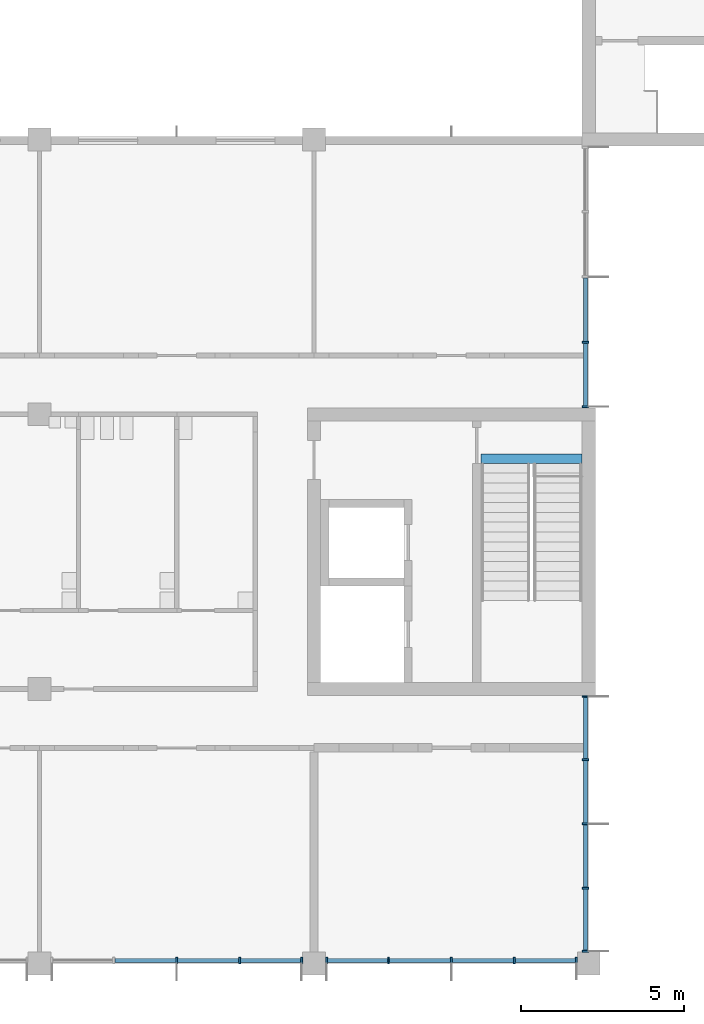
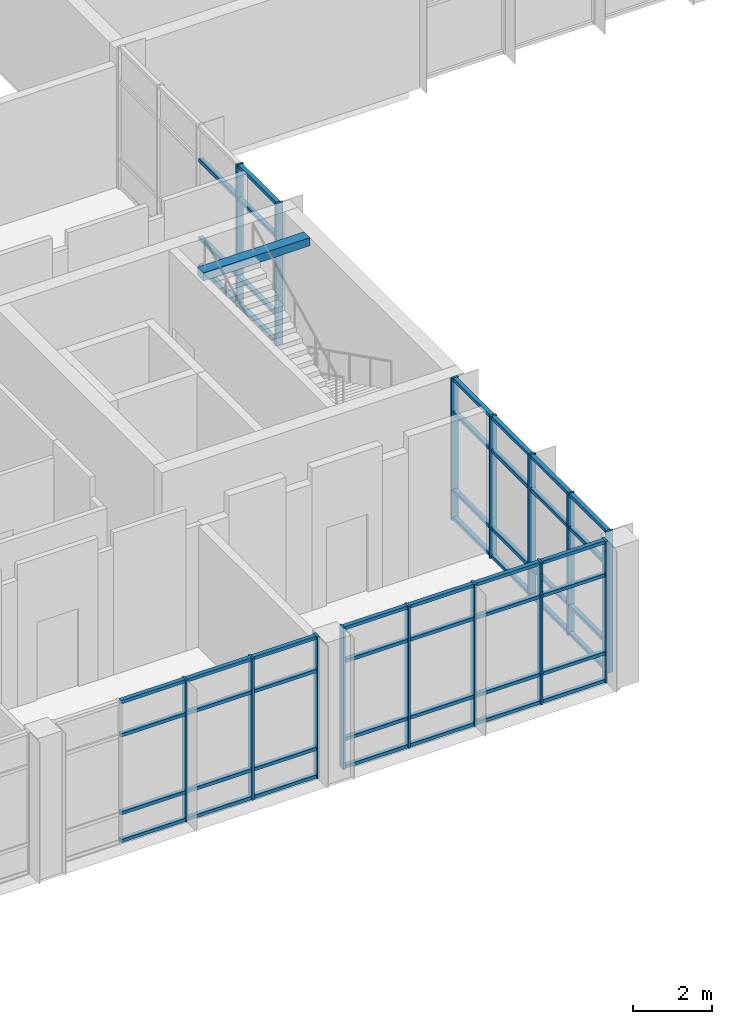
# One storey, part 8 of 70: 66 members, 1 beam, 4 elements without a shape of their own.
"""IFC4 building model written with IfcOpenShell, lengths in metres."""

from ifc_helpers import new_model, si_unit, direction, frame, origin, origin_2d, place, context, subcontext, project, spatial, rectangle, extrude, material, material_profile, profile_set, type_object, element, aggregate, save


model = new_model("IFC4")

# Units and contexts
model_context = context("Model", 3, precision=1e-05, world=origin(), true_north=direction((0.0, 1.0)))
body_context = subcontext(model_context, "Body", "Model", "MODEL_VIEW")
ifc_project = project(units=[si_unit("LENGTHUNIT", "METRE"), si_unit("AREAUNIT", "SQUARE_METRE"), si_unit("VOLUMEUNIT", "CUBIC_METRE"), si_unit("PLANEANGLEUNIT", "RADIAN"), si_unit("MASSUNIT", "GRAM", prefix="KILO")], contexts=[model_context])

# Site, building, storey
site_placement = place(None, origin())
site = spatial("IfcSite", under=ifc_project, at=site_placement, CompositionType="ELEMENT")
building_placement = place(site_placement, origin())
building = spatial("IfcBuilding", under=site, at=building_placement, Name="Hlaing Beacon Police Headquarters", CompositionType="ELEMENT")
storey_placement = place(building_placement, frame((0.0, 0.0, 5.39990234375)))
storey = spatial("IfcBuildingStorey", under=building, at=storey_placement, Name="L01", CompositionType="ELEMENT", Elevation=5.39990234375)

# Curtain wall, members
ifc_material_1 = material(Name="Aluminium frame with solar control glazing", Category="aluminium")
curtain_wall_type_1 = type_object("IfcCurtainWallType", Name="Unitised curtain wall 7.70 x 4.37", PredefinedType="NOTDEFINED", material=ifc_material_1)
curtain_wall_1_placement = place(storey_placement, origin())
curtain_wall_1 = element("IfcCurtainWall", 1, at=curtain_wall_1_placement, inside=storey, type_object=curtain_wall_type_1, Name="ENV-CW-L01-S015", PredefinedType="NOTDEFINED")
ifc_material_2 = material(Name="Aluminium", Category="aluminium")
ifc_material_profile_1 = material_profile(ifc_material_2, rectangle(XDim=0.199951171875, YDim=0.06005859375, at=origin_2d()), Name="Mullion 60x200")
ifc_profile_set_1 = profile_set([ifc_material_profile_1], Name="Aluminium")
member_type_1 = type_object("IfcMemberType", Name="Mullion 60x200", PredefinedType="MULLION", material=ifc_profile_set_1)
member_1_placement = place(storey_placement, frame((46.199951171875, 8.5, 0.0), z_axis=(0.0, 0.0, 1.0), x_axis=(0.0, 1.0, 0.0)))
member_1 = element("IfcMember", 2, at=member_1_placement, type_object=member_type_1, Name="CW-L01-S015 mullion 3", PredefinedType="MULLION", context=body_context, shape_type="SweptSolid", body=[
    extrude(rectangle(XDim=0.199951171875, YDim=0.06005859375, at=origin_2d()), origin(), (0.0, 0.0, 1.0), 4.3701171875),
])
member_2_placement = place(storey_placement, frame((48.125, 8.5, 0.0), z_axis=(0.0, 0.0, 1.0), x_axis=(0.0, 1.0, 0.0)))
member_2 = element("IfcMember", 3, at=member_2_placement, type_object=member_type_1, Name="CW-L01-S015 mullion 4", PredefinedType="MULLION", context=body_context, shape_type="SweptSolid", body=[
    extrude(rectangle(XDim=0.199951171875, YDim=0.06005859375, at=origin_2d()), origin(), (0.0, 0.0, 1.0), 4.3701171875),
])
member_3_placement = place(storey_placement, frame((50.02001953125, 8.5, 0.0), z_axis=(0.0, 0.0, 1.0), x_axis=(0.0, 1.0, 0.0)))
member_3 = element("IfcMember", 4, at=member_3_placement, type_object=member_type_1, Name="CW-L01-S015 mullion 5", PredefinedType="MULLION", context=body_context, shape_type="SweptSolid", body=[
    extrude(rectangle(XDim=0.199951171875, YDim=0.06005859375, at=origin_2d()), origin(), (0.0, 0.0, 1.0), 4.3701171875),
])

curtain_wall_2_placement = place(storey_placement, origin())
curtain_wall_2 = element("IfcCurtainWall", 5, at=curtain_wall_2_placement, inside=storey, type_object=curtain_wall_type_1, Name="ENV-CW-L01-S016", PredefinedType="NOTDEFINED")
member_4_placement = place(storey_placement, frame((50.780029296875, 8.5, 0.0), z_axis=(0.0, 0.0, 1.0), x_axis=(0.0, 1.0, 0.0)))
member_4 = element("IfcMember", 6, at=member_4_placement, type_object=member_type_1, Name="CW-L01-S016 mullion 1", PredefinedType="MULLION", context=body_context, shape_type="SweptSolid", body=[
    extrude(rectangle(XDim=0.199951171875, YDim=0.06005859375, at=origin_2d()), origin(), (0.0, 0.0, 1.0), 4.3701171875),
])
member_5_placement = place(storey_placement, frame((52.675048828125, 8.5, 0.0), z_axis=(0.0, 0.0, 1.0), x_axis=(0.0, 1.0, 0.0)))
member_5 = element("IfcMember", 7, at=member_5_placement, type_object=member_type_1, Name="CW-L01-S016 mullion 2", PredefinedType="MULLION", context=body_context, shape_type="SweptSolid", body=[
    extrude(rectangle(XDim=0.199951171875, YDim=0.06005859375, at=origin_2d()), origin(), (0.0, 0.0, 1.0), 4.3701171875),
])
member_6_placement = place(storey_placement, frame((54.60009765625, 8.5, 0.0), z_axis=(0.0, 0.0, 1.0), x_axis=(0.0, 1.0, 0.0)))
member_6 = element("IfcMember", 8, at=member_6_placement, type_object=member_type_1, Name="CW-L01-S016 mullion 3", PredefinedType="MULLION", context=body_context, shape_type="SweptSolid", body=[
    extrude(rectangle(XDim=0.199951171875, YDim=0.06005859375, at=origin_2d()), origin(), (0.0, 0.0, 1.0), 4.3701171875),
])
member_7_placement = place(storey_placement, frame((56.52490234375, 8.5, 0.0), z_axis=(0.0, 0.0, 1.0), x_axis=(0.0, 1.0, 0.0)))
member_7 = element("IfcMember", 9, at=member_7_placement, type_object=member_type_1, Name="CW-L01-S016 mullion 4", PredefinedType="MULLION", context=body_context, shape_type="SweptSolid", body=[
    extrude(rectangle(XDim=0.199951171875, YDim=0.06005859375, at=origin_2d()), origin(), (0.0, 0.0, 1.0), 4.3701171875),
])
member_8_placement = place(storey_placement, frame((58.419921875, 8.5, 0.0), z_axis=(0.0, 0.0, 1.0), x_axis=(0.0, 1.0, 0.0)))
member_8 = element("IfcMember", 10, at=member_8_placement, type_object=member_type_1, Name="CW-L01-S016 mullion 5", PredefinedType="MULLION", context=body_context, shape_type="SweptSolid", body=[
    extrude(rectangle(XDim=0.199951171875, YDim=0.06005859375, at=origin_2d()), origin(), (0.0, 0.0, 1.0), 4.3701171875),
])

ifc_material_3 = material(Name="Aluminium frame with solar control glazing", Category="aluminium")
curtain_wall_type_2 = type_object("IfcCurtainWallType", Name="Unitised curtain wall 7.85 x 4.37", PredefinedType="NOTDEFINED", material=ifc_material_3)
curtain_wall_3_placement = place(storey_placement, origin())
curtain_wall_3 = element("IfcCurtainWall", 11, at=curtain_wall_3_placement, inside=storey, type_object=curtain_wall_type_2, Name="ENV-CW-L01-E017", PredefinedType="NOTDEFINED")
member_9_placement = place(storey_placement, frame((58.699951171875, 8.780029296875, 0.0), z_axis=(0.0, 0.0, 1.0), x_axis=(-1.0, 0.0, 0.0)))
member_9 = element("IfcMember", 12, at=member_9_placement, type_object=member_type_1, Name="CW-L01-E017 mullion 1", PredefinedType="MULLION", context=body_context, shape_type="SweptSolid", body=[
    extrude(rectangle(XDim=0.199951171875, YDim=0.06005859375, at=origin_2d()), origin(), (0.0, 0.0, 1.0), 4.3701171875),
])
member_10_placement = place(storey_placement, frame((58.699951171875, 10.71240234375, 0.0), z_axis=(0.0, 0.0, 1.0), x_axis=(-1.0, 0.0, 0.0)))
member_10 = element("IfcMember", 13, at=member_10_placement, type_object=member_type_1, Name="CW-L01-E017 mullion 2", PredefinedType="MULLION", context=body_context, shape_type="SweptSolid", body=[
    extrude(rectangle(XDim=0.199951171875, YDim=0.06005859375, at=origin_2d()), origin(), (0.0, 0.0, 1.0), 4.3701171875),
])
member_11_placement = place(storey_placement, frame((58.699951171875, 12.675048828125, 0.0), z_axis=(0.0, 0.0, 1.0), x_axis=(-1.0, 0.0, 0.0)))
member_11 = element("IfcMember", 14, at=member_11_placement, type_object=member_type_1, Name="CW-L01-E017 mullion 3", PredefinedType="MULLION", context=body_context, shape_type="SweptSolid", body=[
    extrude(rectangle(XDim=0.199951171875, YDim=0.06005859375, at=origin_2d()), origin(), (0.0, 0.0, 1.0), 4.3701171875),
])
member_12_placement = place(storey_placement, frame((58.699951171875, 14.637451171875, 0.0), z_axis=(0.0, 0.0, 1.0), x_axis=(-1.0, 0.0, 0.0)))
member_12 = element("IfcMember", 15, at=member_12_placement, type_object=member_type_1, Name="CW-L01-E017 mullion 4", PredefinedType="MULLION", context=body_context, shape_type="SweptSolid", body=[
    extrude(rectangle(XDim=0.199951171875, YDim=0.06005859375, at=origin_2d()), origin(), (0.0, 0.0, 1.0), 4.3701171875),
])
member_13_placement = place(storey_placement, frame((58.699951171875, 16.570068359375, 0.0), z_axis=(0.0, 0.0, 1.0), x_axis=(-1.0, 0.0, 0.0)))
member_13 = element("IfcMember", 16, at=member_13_placement, type_object=member_type_1, Name="CW-L01-E017 mullion 5", PredefinedType="MULLION", context=body_context, shape_type="SweptSolid", body=[
    extrude(rectangle(XDim=0.199951171875, YDim=0.06005859375, at=origin_2d()), origin(), (0.0, 0.0, 1.0), 4.3701171875),
])

ifc_material_4 = material(Name="Aluminium frame with solar control glazing", Category="aluminium")
curtain_wall_type_3 = type_object("IfcCurtainWallType", Name="Unitised curtain wall 8.00 x 4.37", PredefinedType="NOTDEFINED", material=ifc_material_4)
curtain_wall_4_placement = place(storey_placement, origin())
curtain_wall_4 = element("IfcCurtainWall", 17, at=curtain_wall_4_placement, inside=storey, type_object=curtain_wall_type_3, Name="ENV-CW-L01-E018", PredefinedType="NOTDEFINED")
member_14_placement = place(storey_placement, frame((58.699951171875, 25.429931640625, 0.0), z_axis=(0.0, 0.0, 1.0), x_axis=(-1.0, 0.0, 0.0)))
member_14 = element("IfcMember", 18, at=member_14_placement, type_object=member_type_1, Name="CW-L01-E018 mullion 1", PredefinedType="MULLION", context=body_context, shape_type="SweptSolid", body=[
    extrude(rectangle(XDim=0.199951171875, YDim=0.06005859375, at=origin_2d()), origin(), (0.0, 0.0, 1.0), 4.3701171875),
])
member_15_placement = place(storey_placement, frame((58.699951171875, 27.39990234375, 0.0), z_axis=(0.0, 0.0, 1.0), x_axis=(-1.0, 0.0, 0.0)))
member_15 = element("IfcMember", 19, at=member_15_placement, type_object=member_type_1, Name="CW-L01-E018 mullion 2", PredefinedType="MULLION", context=body_context, shape_type="SweptSolid", body=[
    extrude(rectangle(XDim=0.199951171875, YDim=0.06005859375, at=origin_2d()), origin(), (0.0, 0.0, 1.0), 4.3701171875),
])

# Beam
ifc_material_5 = material(Name="Concrete C40/50", Category="concrete")
ifc_material_profile_2 = material_profile(ifc_material_5, rectangle(XDim=0.300048828125, YDim=0.25, at=origin_2d()), Name="Stair arrival beam 300x250")
ifc_profile_set_2 = profile_set([ifc_material_profile_2], Name="Concrete C40/50")
beam_type = type_object("IfcBeamType", Name="Stair arrival beam 300x250", PredefinedType="BEAM", material=ifc_profile_set_2)
beam_placement = place(storey_placement, frame((58.60009765625, 23.840087890625, 4.2451171875), z_axis=(-1.0, 0.0, 0.0), x_axis=(0.0, -1.0, 0.0)))
element("IfcBeam", 20, at=beam_placement, inside=storey, type_object=beam_type, Name="Stair arrival beam ST-K", PredefinedType="BEAM", context=body_context, shape_type="SweptSolid", body=[
    extrude(rectangle(XDim=0.300048828125, YDim=0.25, at=origin_2d()), origin(), (0.0, 0.0, 1.0), 3.10009765625),
])

# Member
ifc_material_6 = material(Name="Aluminium", Category="aluminium")
ifc_material_profile_3 = material_profile(ifc_material_6, rectangle(XDim=0.1201171875, YDim=0.10009765625, at=origin_2d()), Name="Transom 120x100")
ifc_profile_set_3 = profile_set([ifc_material_profile_3], Name="Aluminium")
member_type_2 = type_object("IfcMemberType", Name="Transom 120x100", PredefinedType="USERDEFINED", material=ifc_profile_set_3)
member_16_placement = place(storey_placement, frame((44.304931640625, 8.5, 0.050048828125), z_axis=(1.0, 0.0, 0.0), x_axis=(0.0, 1.0, 0.0)))
member_16 = element("IfcMember", 21, at=member_16_placement, type_object=member_type_2, Name="CW-L01-S015 transom 2.1", ObjectType="TRANSOM", PredefinedType="USERDEFINED", context=body_context, shape_type="SweptSolid", body=[
    extrude(rectangle(XDim=0.1201171875, YDim=0.10009765625, at=origin_2d()), origin(), (0.0, 0.0, 1.0), 1.864990234375),
])

member_17_placement = place(storey_placement, frame((44.304931640625, 8.5, 0.900146484375), z_axis=(1.0, 0.0, 0.0), x_axis=(0.0, 1.0, 0.0)))
member_17 = element("IfcMember", 22, at=member_17_placement, type_object=member_type_2, Name="CW-L01-S015 transom 2.2", ObjectType="TRANSOM", PredefinedType="USERDEFINED", context=body_context, shape_type="SweptSolid", body=[
    extrude(rectangle(XDim=0.1201171875, YDim=0.10009765625, at=origin_2d()), origin(), (0.0, 0.0, 1.0), 1.864990234375),
])

member_18_placement = place(storey_placement, frame((44.304931640625, 8.5, 3.300048828125), z_axis=(1.0, 0.0, 0.0), x_axis=(0.0, 1.0, 0.0)))
member_18 = element("IfcMember", 23, at=member_18_placement, type_object=member_type_2, Name="CW-L01-S015 transom 2.3", ObjectType="TRANSOM", PredefinedType="USERDEFINED", context=body_context, shape_type="SweptSolid", body=[
    extrude(rectangle(XDim=0.1201171875, YDim=0.10009765625, at=origin_2d()), origin(), (0.0, 0.0, 1.0), 1.864990234375),
])

member_19_placement = place(storey_placement, frame((44.304931640625, 8.5, 4.320068359375), z_axis=(1.0, 0.0, 0.0), x_axis=(0.0, 1.0, 0.0)))
member_19 = element("IfcMember", 24, at=member_19_placement, type_object=member_type_2, Name="CW-L01-S015 transom 2.4", ObjectType="TRANSOM", PredefinedType="USERDEFINED", context=body_context, shape_type="SweptSolid", body=[
    extrude(rectangle(XDim=0.1201171875, YDim=0.10009765625, at=origin_2d()), origin(), (0.0, 0.0, 1.0), 1.864990234375),
])

member_20_placement = place(storey_placement, frame((46.22998046875, 8.5, 0.050048828125), z_axis=(1.0, 0.0, 0.0), x_axis=(0.0, 1.0, 0.0)))
member_20 = element("IfcMember", 25, at=member_20_placement, type_object=member_type_2, Name="CW-L01-S015 transom 3.1", ObjectType="TRANSOM", PredefinedType="USERDEFINED", context=body_context, shape_type="SweptSolid", body=[
    extrude(rectangle(XDim=0.1201171875, YDim=0.10009765625, at=origin_2d()), origin(), (0.0, 0.0, 1.0), 1.864990234375),
])

member_21_placement = place(storey_placement, frame((46.22998046875, 8.5, 0.900146484375), z_axis=(1.0, 0.0, 0.0), x_axis=(0.0, 1.0, 0.0)))
member_21 = element("IfcMember", 26, at=member_21_placement, type_object=member_type_2, Name="CW-L01-S015 transom 3.2", ObjectType="TRANSOM", PredefinedType="USERDEFINED", context=body_context, shape_type="SweptSolid", body=[
    extrude(rectangle(XDim=0.1201171875, YDim=0.10009765625, at=origin_2d()), origin(), (0.0, 0.0, 1.0), 1.864990234375),
])

member_22_placement = place(storey_placement, frame((46.22998046875, 8.5, 3.300048828125), z_axis=(1.0, 0.0, 0.0), x_axis=(0.0, 1.0, 0.0)))
member_22 = element("IfcMember", 27, at=member_22_placement, type_object=member_type_2, Name="CW-L01-S015 transom 3.3", ObjectType="TRANSOM", PredefinedType="USERDEFINED", context=body_context, shape_type="SweptSolid", body=[
    extrude(rectangle(XDim=0.1201171875, YDim=0.10009765625, at=origin_2d()), origin(), (0.0, 0.0, 1.0), 1.864990234375),
])

member_23_placement = place(storey_placement, frame((46.22998046875, 8.5, 4.320068359375), z_axis=(1.0, 0.0, 0.0), x_axis=(0.0, 1.0, 0.0)))
member_23 = element("IfcMember", 28, at=member_23_placement, type_object=member_type_2, Name="CW-L01-S015 transom 3.4", ObjectType="TRANSOM", PredefinedType="USERDEFINED", context=body_context, shape_type="SweptSolid", body=[
    extrude(rectangle(XDim=0.1201171875, YDim=0.10009765625, at=origin_2d()), origin(), (0.0, 0.0, 1.0), 1.864990234375),
])

member_24_placement = place(storey_placement, frame((48.155029296875, 8.5, 0.050048828125), z_axis=(1.0, 0.0, 0.0), x_axis=(0.0, 1.0, 0.0)))
member_24 = element("IfcMember", 29, at=member_24_placement, type_object=member_type_2, Name="CW-L01-S015 transom 4.1", ObjectType="TRANSOM", PredefinedType="USERDEFINED", context=body_context, shape_type="SweptSolid", body=[
    extrude(rectangle(XDim=0.1201171875, YDim=0.10009765625, at=origin_2d()), origin(), (0.0, 0.0, 1.0), 1.8349609375),
])

member_25_placement = place(storey_placement, frame((48.155029296875, 8.5, 0.900146484375), z_axis=(1.0, 0.0, 0.0), x_axis=(0.0, 1.0, 0.0)))
member_25 = element("IfcMember", 30, at=member_25_placement, type_object=member_type_2, Name="CW-L01-S015 transom 4.2", ObjectType="TRANSOM", PredefinedType="USERDEFINED", context=body_context, shape_type="SweptSolid", body=[
    extrude(rectangle(XDim=0.1201171875, YDim=0.10009765625, at=origin_2d()), origin(), (0.0, 0.0, 1.0), 1.8349609375),
])

member_26_placement = place(storey_placement, frame((48.155029296875, 8.5, 3.300048828125), z_axis=(1.0, 0.0, 0.0), x_axis=(0.0, 1.0, 0.0)))
member_26 = element("IfcMember", 31, at=member_26_placement, type_object=member_type_2, Name="CW-L01-S015 transom 4.3", ObjectType="TRANSOM", PredefinedType="USERDEFINED", context=body_context, shape_type="SweptSolid", body=[
    extrude(rectangle(XDim=0.1201171875, YDim=0.10009765625, at=origin_2d()), origin(), (0.0, 0.0, 1.0), 1.8349609375),
])

member_27_placement = place(storey_placement, frame((48.155029296875, 8.5, 4.320068359375), z_axis=(1.0, 0.0, 0.0), x_axis=(0.0, 1.0, 0.0)))
member_27 = element("IfcMember", 32, at=member_27_placement, type_object=member_type_2, Name="CW-L01-S015 transom 4.4", ObjectType="TRANSOM", PredefinedType="USERDEFINED", context=body_context, shape_type="SweptSolid", body=[
    extrude(rectangle(XDim=0.1201171875, YDim=0.10009765625, at=origin_2d()), origin(), (0.0, 0.0, 1.0), 1.8349609375),
])

aggregate(curtain_wall_1, [member_1, member_2, member_3, member_16, member_17, member_18, member_19, member_20, member_21, member_22, member_23, member_24, member_25, member_26, member_27])

member_28_placement = place(storey_placement, frame((50.81005859375, 8.5, 0.050048828125), z_axis=(1.0, 0.0, 0.0), x_axis=(0.0, 1.0, 0.0)))
member_28 = element("IfcMember", 33, at=member_28_placement, type_object=member_type_2, Name="CW-L01-S016 transom 1.1", ObjectType="TRANSOM", PredefinedType="USERDEFINED", context=body_context, shape_type="SweptSolid", body=[
    extrude(rectangle(XDim=0.1201171875, YDim=0.10009765625, at=origin_2d()), origin(), (0.0, 0.0, 1.0), 1.8349609375),
])

member_29_placement = place(storey_placement, frame((50.81005859375, 8.5, 0.900146484375), z_axis=(1.0, 0.0, 0.0), x_axis=(0.0, 1.0, 0.0)))
member_29 = element("IfcMember", 34, at=member_29_placement, type_object=member_type_2, Name="CW-L01-S016 transom 1.2", ObjectType="TRANSOM", PredefinedType="USERDEFINED", context=body_context, shape_type="SweptSolid", body=[
    extrude(rectangle(XDim=0.1201171875, YDim=0.10009765625, at=origin_2d()), origin(), (0.0, 0.0, 1.0), 1.8349609375),
])

member_30_placement = place(storey_placement, frame((50.81005859375, 8.5, 3.300048828125), z_axis=(1.0, 0.0, 0.0), x_axis=(0.0, 1.0, 0.0)))
member_30 = element("IfcMember", 35, at=member_30_placement, type_object=member_type_2, Name="CW-L01-S016 transom 1.3", ObjectType="TRANSOM", PredefinedType="USERDEFINED", context=body_context, shape_type="SweptSolid", body=[
    extrude(rectangle(XDim=0.1201171875, YDim=0.10009765625, at=origin_2d()), origin(), (0.0, 0.0, 1.0), 1.8349609375),
])

member_31_placement = place(storey_placement, frame((50.81005859375, 8.5, 4.320068359375), z_axis=(1.0, 0.0, 0.0), x_axis=(0.0, 1.0, 0.0)))
member_31 = element("IfcMember", 36, at=member_31_placement, type_object=member_type_2, Name="CW-L01-S016 transom 1.4", ObjectType="TRANSOM", PredefinedType="USERDEFINED", context=body_context, shape_type="SweptSolid", body=[
    extrude(rectangle(XDim=0.1201171875, YDim=0.10009765625, at=origin_2d()), origin(), (0.0, 0.0, 1.0), 1.8349609375),
])

member_32_placement = place(storey_placement, frame((52.705078125, 8.5, 0.050048828125), z_axis=(1.0, 0.0, 0.0), x_axis=(0.0, 1.0, 0.0)))
member_32 = element("IfcMember", 37, at=member_32_placement, type_object=member_type_2, Name="CW-L01-S016 transom 2.1", ObjectType="TRANSOM", PredefinedType="USERDEFINED", context=body_context, shape_type="SweptSolid", body=[
    extrude(rectangle(XDim=0.1201171875, YDim=0.10009765625, at=origin_2d()), origin(), (0.0, 0.0, 1.0), 1.864990234375),
])

member_33_placement = place(storey_placement, frame((52.705078125, 8.5, 0.900146484375), z_axis=(1.0, 0.0, 0.0), x_axis=(0.0, 1.0, 0.0)))
member_33 = element("IfcMember", 38, at=member_33_placement, type_object=member_type_2, Name="CW-L01-S016 transom 2.2", ObjectType="TRANSOM", PredefinedType="USERDEFINED", context=body_context, shape_type="SweptSolid", body=[
    extrude(rectangle(XDim=0.1201171875, YDim=0.10009765625, at=origin_2d()), origin(), (0.0, 0.0, 1.0), 1.864990234375),
])

member_34_placement = place(storey_placement, frame((52.705078125, 8.5, 3.300048828125), z_axis=(1.0, 0.0, 0.0), x_axis=(0.0, 1.0, 0.0)))
member_34 = element("IfcMember", 39, at=member_34_placement, type_object=member_type_2, Name="CW-L01-S016 transom 2.3", ObjectType="TRANSOM", PredefinedType="USERDEFINED", context=body_context, shape_type="SweptSolid", body=[
    extrude(rectangle(XDim=0.1201171875, YDim=0.10009765625, at=origin_2d()), origin(), (0.0, 0.0, 1.0), 1.864990234375),
])

member_35_placement = place(storey_placement, frame((52.705078125, 8.5, 4.320068359375), z_axis=(1.0, 0.0, 0.0), x_axis=(0.0, 1.0, 0.0)))
member_35 = element("IfcMember", 40, at=member_35_placement, type_object=member_type_2, Name="CW-L01-S016 transom 2.4", ObjectType="TRANSOM", PredefinedType="USERDEFINED", context=body_context, shape_type="SweptSolid", body=[
    extrude(rectangle(XDim=0.1201171875, YDim=0.10009765625, at=origin_2d()), origin(), (0.0, 0.0, 1.0), 1.864990234375),
])

member_36_placement = place(storey_placement, frame((54.6298828125, 8.5, 0.050048828125), z_axis=(1.0, 0.0, 0.0), x_axis=(0.0, 1.0, 0.0)))
member_36 = element("IfcMember", 41, at=member_36_placement, type_object=member_type_2, Name="CW-L01-S016 transom 3.1", ObjectType="TRANSOM", PredefinedType="USERDEFINED", context=body_context, shape_type="SweptSolid", body=[
    extrude(rectangle(XDim=0.1201171875, YDim=0.10009765625, at=origin_2d()), origin(), (0.0, 0.0, 1.0), 1.865234375),
])

member_37_placement = place(storey_placement, frame((54.6298828125, 8.5, 0.900146484375), z_axis=(1.0, 0.0, 0.0), x_axis=(0.0, 1.0, 0.0)))
member_37 = element("IfcMember", 42, at=member_37_placement, type_object=member_type_2, Name="CW-L01-S016 transom 3.2", ObjectType="TRANSOM", PredefinedType="USERDEFINED", context=body_context, shape_type="SweptSolid", body=[
    extrude(rectangle(XDim=0.1201171875, YDim=0.10009765625, at=origin_2d()), origin(), (0.0, 0.0, 1.0), 1.865234375),
])

member_38_placement = place(storey_placement, frame((54.6298828125, 8.5, 3.300048828125), z_axis=(1.0, 0.0, 0.0), x_axis=(0.0, 1.0, 0.0)))
member_38 = element("IfcMember", 43, at=member_38_placement, type_object=member_type_2, Name="CW-L01-S016 transom 3.3", ObjectType="TRANSOM", PredefinedType="USERDEFINED", context=body_context, shape_type="SweptSolid", body=[
    extrude(rectangle(XDim=0.1201171875, YDim=0.10009765625, at=origin_2d()), origin(), (0.0, 0.0, 1.0), 1.865234375),
])

member_39_placement = place(storey_placement, frame((54.6298828125, 8.5, 4.320068359375), z_axis=(1.0, 0.0, 0.0), x_axis=(0.0, 1.0, 0.0)))
member_39 = element("IfcMember", 44, at=member_39_placement, type_object=member_type_2, Name="CW-L01-S016 transom 3.4", ObjectType="TRANSOM", PredefinedType="USERDEFINED", context=body_context, shape_type="SweptSolid", body=[
    extrude(rectangle(XDim=0.1201171875, YDim=0.10009765625, at=origin_2d()), origin(), (0.0, 0.0, 1.0), 1.865234375),
])

member_40_placement = place(storey_placement, frame((56.554931640625, 8.5, 0.050048828125), z_axis=(1.0, 0.0, 0.0), x_axis=(0.0, 1.0, 0.0)))
member_40 = element("IfcMember", 45, at=member_40_placement, type_object=member_type_2, Name="CW-L01-S016 transom 4.1", ObjectType="TRANSOM", PredefinedType="USERDEFINED", context=body_context, shape_type="SweptSolid", body=[
    extrude(rectangle(XDim=0.1201171875, YDim=0.10009765625, at=origin_2d()), origin(), (0.0, 0.0, 1.0), 1.8349609375),
])

member_41_placement = place(storey_placement, frame((56.554931640625, 8.5, 0.900146484375), z_axis=(1.0, 0.0, 0.0), x_axis=(0.0, 1.0, 0.0)))
member_41 = element("IfcMember", 46, at=member_41_placement, type_object=member_type_2, Name="CW-L01-S016 transom 4.2", ObjectType="TRANSOM", PredefinedType="USERDEFINED", context=body_context, shape_type="SweptSolid", body=[
    extrude(rectangle(XDim=0.1201171875, YDim=0.10009765625, at=origin_2d()), origin(), (0.0, 0.0, 1.0), 1.8349609375),
])

member_42_placement = place(storey_placement, frame((56.554931640625, 8.5, 3.300048828125), z_axis=(1.0, 0.0, 0.0), x_axis=(0.0, 1.0, 0.0)))
member_42 = element("IfcMember", 47, at=member_42_placement, type_object=member_type_2, Name="CW-L01-S016 transom 4.3", ObjectType="TRANSOM", PredefinedType="USERDEFINED", context=body_context, shape_type="SweptSolid", body=[
    extrude(rectangle(XDim=0.1201171875, YDim=0.10009765625, at=origin_2d()), origin(), (0.0, 0.0, 1.0), 1.8349609375),
])

member_43_placement = place(storey_placement, frame((56.554931640625, 8.5, 4.320068359375), z_axis=(1.0, 0.0, 0.0), x_axis=(0.0, 1.0, 0.0)))
member_43 = element("IfcMember", 48, at=member_43_placement, type_object=member_type_2, Name="CW-L01-S016 transom 4.4", ObjectType="TRANSOM", PredefinedType="USERDEFINED", context=body_context, shape_type="SweptSolid", body=[
    extrude(rectangle(XDim=0.1201171875, YDim=0.10009765625, at=origin_2d()), origin(), (0.0, 0.0, 1.0), 1.8349609375),
])

aggregate(curtain_wall_2, [member_4, member_5, member_6, member_7, member_8, member_28, member_29, member_30, member_31, member_32, member_33, member_34, member_35, member_36, member_37, member_38, member_39, member_40, member_41, member_42, member_43])

member_44_placement = place(storey_placement, frame((58.699951171875, 8.81005859375, 0.050048828125), z_axis=(0.0, 1.0, 0.0), x_axis=(-1.0, 0.0, 0.0)))
member_44 = element("IfcMember", 49, at=member_44_placement, type_object=member_type_2, Name="CW-L01-E017 transom 1.1", ObjectType="TRANSOM", PredefinedType="USERDEFINED", context=body_context, shape_type="SweptSolid", body=[
    extrude(rectangle(XDim=0.1201171875, YDim=0.10009765625, at=origin_2d()), origin(), (0.0, 0.0, 1.0), 1.87255859375),
])

member_45_placement = place(storey_placement, frame((58.699951171875, 8.81005859375, 0.900146484375), z_axis=(0.0, 1.0, 0.0), x_axis=(-1.0, 0.0, 0.0)))
member_45 = element("IfcMember", 50, at=member_45_placement, type_object=member_type_2, Name="CW-L01-E017 transom 1.2", ObjectType="TRANSOM", PredefinedType="USERDEFINED", context=body_context, shape_type="SweptSolid", body=[
    extrude(rectangle(XDim=0.1201171875, YDim=0.10009765625, at=origin_2d()), origin(), (0.0, 0.0, 1.0), 1.87255859375),
])

member_46_placement = place(storey_placement, frame((58.699951171875, 8.81005859375, 3.300048828125), z_axis=(0.0, 1.0, 0.0), x_axis=(-1.0, 0.0, 0.0)))
member_46 = element("IfcMember", 51, at=member_46_placement, type_object=member_type_2, Name="CW-L01-E017 transom 1.3", ObjectType="TRANSOM", PredefinedType="USERDEFINED", context=body_context, shape_type="SweptSolid", body=[
    extrude(rectangle(XDim=0.1201171875, YDim=0.10009765625, at=origin_2d()), origin(), (0.0, 0.0, 1.0), 1.87255859375),
])

member_47_placement = place(storey_placement, frame((58.699951171875, 8.81005859375, 4.320068359375), z_axis=(0.0, 1.0, 0.0), x_axis=(-1.0, 0.0, 0.0)))
member_47 = element("IfcMember", 52, at=member_47_placement, type_object=member_type_2, Name="CW-L01-E017 transom 1.4", ObjectType="TRANSOM", PredefinedType="USERDEFINED", context=body_context, shape_type="SweptSolid", body=[
    extrude(rectangle(XDim=0.1201171875, YDim=0.10009765625, at=origin_2d()), origin(), (0.0, 0.0, 1.0), 1.87255859375),
])

member_48_placement = place(storey_placement, frame((58.699951171875, 10.742431640625, 0.050048828125), z_axis=(0.0, 1.0, 0.0), x_axis=(-1.0, 0.0, 0.0)))
member_48 = element("IfcMember", 53, at=member_48_placement, type_object=member_type_2, Name="CW-L01-E017 transom 2.1", ObjectType="TRANSOM", PredefinedType="USERDEFINED", context=body_context, shape_type="SweptSolid", body=[
    extrude(rectangle(XDim=0.1201171875, YDim=0.10009765625, at=origin_2d()), origin(), (0.0, 0.0, 1.0), 1.902587890625),
])

member_49_placement = place(storey_placement, frame((58.699951171875, 10.742431640625, 0.900146484375), z_axis=(0.0, 1.0, 0.0), x_axis=(-1.0, 0.0, 0.0)))
member_49 = element("IfcMember", 54, at=member_49_placement, type_object=member_type_2, Name="CW-L01-E017 transom 2.2", ObjectType="TRANSOM", PredefinedType="USERDEFINED", context=body_context, shape_type="SweptSolid", body=[
    extrude(rectangle(XDim=0.1201171875, YDim=0.10009765625, at=origin_2d()), origin(), (0.0, 0.0, 1.0), 1.902587890625),
])

member_50_placement = place(storey_placement, frame((58.699951171875, 10.742431640625, 3.300048828125), z_axis=(0.0, 1.0, 0.0), x_axis=(-1.0, 0.0, 0.0)))
member_50 = element("IfcMember", 55, at=member_50_placement, type_object=member_type_2, Name="CW-L01-E017 transom 2.3", ObjectType="TRANSOM", PredefinedType="USERDEFINED", context=body_context, shape_type="SweptSolid", body=[
    extrude(rectangle(XDim=0.1201171875, YDim=0.10009765625, at=origin_2d()), origin(), (0.0, 0.0, 1.0), 1.902587890625),
])

member_51_placement = place(storey_placement, frame((58.699951171875, 10.742431640625, 4.320068359375), z_axis=(0.0, 1.0, 0.0), x_axis=(-1.0, 0.0, 0.0)))
member_51 = element("IfcMember", 56, at=member_51_placement, type_object=member_type_2, Name="CW-L01-E017 transom 2.4", ObjectType="TRANSOM", PredefinedType="USERDEFINED", context=body_context, shape_type="SweptSolid", body=[
    extrude(rectangle(XDim=0.1201171875, YDim=0.10009765625, at=origin_2d()), origin(), (0.0, 0.0, 1.0), 1.902587890625),
])

member_52_placement = place(storey_placement, frame((58.699951171875, 12.705078125, 0.050048828125), z_axis=(0.0, 1.0, 0.0), x_axis=(-1.0, 0.0, 0.0)))
member_52 = element("IfcMember", 57, at=member_52_placement, type_object=member_type_2, Name="CW-L01-E017 transom 3.1", ObjectType="TRANSOM", PredefinedType="USERDEFINED", context=body_context, shape_type="SweptSolid", body=[
    extrude(rectangle(XDim=0.1201171875, YDim=0.10009765625, at=origin_2d()), origin(), (0.0, 0.0, 1.0), 1.90234375),
])

member_53_placement = place(storey_placement, frame((58.699951171875, 12.705078125, 0.900146484375), z_axis=(0.0, 1.0, 0.0), x_axis=(-1.0, 0.0, 0.0)))
member_53 = element("IfcMember", 58, at=member_53_placement, type_object=member_type_2, Name="CW-L01-E017 transom 3.2", ObjectType="TRANSOM", PredefinedType="USERDEFINED", context=body_context, shape_type="SweptSolid", body=[
    extrude(rectangle(XDim=0.1201171875, YDim=0.10009765625, at=origin_2d()), origin(), (0.0, 0.0, 1.0), 1.90234375),
])

member_54_placement = place(storey_placement, frame((58.699951171875, 12.705078125, 3.300048828125), z_axis=(0.0, 1.0, 0.0), x_axis=(-1.0, 0.0, 0.0)))
member_54 = element("IfcMember", 59, at=member_54_placement, type_object=member_type_2, Name="CW-L01-E017 transom 3.3", ObjectType="TRANSOM", PredefinedType="USERDEFINED", context=body_context, shape_type="SweptSolid", body=[
    extrude(rectangle(XDim=0.1201171875, YDim=0.10009765625, at=origin_2d()), origin(), (0.0, 0.0, 1.0), 1.90234375),
])

member_55_placement = place(storey_placement, frame((58.699951171875, 12.705078125, 4.320068359375), z_axis=(0.0, 1.0, 0.0), x_axis=(-1.0, 0.0, 0.0)))
member_55 = element("IfcMember", 60, at=member_55_placement, type_object=member_type_2, Name="CW-L01-E017 transom 3.4", ObjectType="TRANSOM", PredefinedType="USERDEFINED", context=body_context, shape_type="SweptSolid", body=[
    extrude(rectangle(XDim=0.1201171875, YDim=0.10009765625, at=origin_2d()), origin(), (0.0, 0.0, 1.0), 1.90234375),
])

member_56_placement = place(storey_placement, frame((58.699951171875, 14.66748046875, 0.050048828125), z_axis=(0.0, 1.0, 0.0), x_axis=(-1.0, 0.0, 0.0)))
member_56 = element("IfcMember", 61, at=member_56_placement, type_object=member_type_2, Name="CW-L01-E017 transom 4.1", ObjectType="TRANSOM", PredefinedType="USERDEFINED", context=body_context, shape_type="SweptSolid", body=[
    extrude(rectangle(XDim=0.1201171875, YDim=0.10009765625, at=origin_2d()), origin(), (0.0, 0.0, 1.0), 1.87255859375),
])

member_57_placement = place(storey_placement, frame((58.699951171875, 14.66748046875, 0.900146484375), z_axis=(0.0, 1.0, 0.0), x_axis=(-1.0, 0.0, 0.0)))
member_57 = element("IfcMember", 62, at=member_57_placement, type_object=member_type_2, Name="CW-L01-E017 transom 4.2", ObjectType="TRANSOM", PredefinedType="USERDEFINED", context=body_context, shape_type="SweptSolid", body=[
    extrude(rectangle(XDim=0.1201171875, YDim=0.10009765625, at=origin_2d()), origin(), (0.0, 0.0, 1.0), 1.87255859375),
])

member_58_placement = place(storey_placement, frame((58.699951171875, 14.66748046875, 3.300048828125), z_axis=(0.0, 1.0, 0.0), x_axis=(-1.0, 0.0, 0.0)))
member_58 = element("IfcMember", 63, at=member_58_placement, type_object=member_type_2, Name="CW-L01-E017 transom 4.3", ObjectType="TRANSOM", PredefinedType="USERDEFINED", context=body_context, shape_type="SweptSolid", body=[
    extrude(rectangle(XDim=0.1201171875, YDim=0.10009765625, at=origin_2d()), origin(), (0.0, 0.0, 1.0), 1.87255859375),
])

member_59_placement = place(storey_placement, frame((58.699951171875, 14.66748046875, 4.320068359375), z_axis=(0.0, 1.0, 0.0), x_axis=(-1.0, 0.0, 0.0)))
member_59 = element("IfcMember", 64, at=member_59_placement, type_object=member_type_2, Name="CW-L01-E017 transom 4.4", ObjectType="TRANSOM", PredefinedType="USERDEFINED", context=body_context, shape_type="SweptSolid", body=[
    extrude(rectangle(XDim=0.1201171875, YDim=0.10009765625, at=origin_2d()), origin(), (0.0, 0.0, 1.0), 1.87255859375),
])

aggregate(curtain_wall_3, [member_9, member_10, member_11, member_12, member_13, member_44, member_45, member_46, member_47, member_48, member_49, member_50, member_51, member_52, member_53, member_54, member_55, member_56, member_57, member_58, member_59])

member_60_placement = place(storey_placement, frame((58.699951171875, 25.4599609375, 0.050048828125), z_axis=(0.0, 1.0, 0.0), x_axis=(-1.0, 0.0, 0.0)))
member_60 = element("IfcMember", 65, at=member_60_placement, type_object=member_type_2, Name="CW-L01-E018 transom 1.1", ObjectType="TRANSOM", PredefinedType="USERDEFINED", context=body_context, shape_type="SweptSolid", body=[
    extrude(rectangle(XDim=0.1201171875, YDim=0.10009765625, at=origin_2d()), origin(), (0.0, 0.0, 1.0), 1.91015625),
])

member_61_placement = place(storey_placement, frame((58.699951171875, 25.4599609375, 0.900146484375), z_axis=(0.0, 1.0, 0.0), x_axis=(-1.0, 0.0, 0.0)))
member_61 = element("IfcMember", 66, at=member_61_placement, type_object=member_type_2, Name="CW-L01-E018 transom 1.2", ObjectType="TRANSOM", PredefinedType="USERDEFINED", context=body_context, shape_type="SweptSolid", body=[
    extrude(rectangle(XDim=0.1201171875, YDim=0.10009765625, at=origin_2d()), origin(), (0.0, 0.0, 1.0), 1.91015625),
])

member_62_placement = place(storey_placement, frame((58.699951171875, 25.4599609375, 3.300048828125), z_axis=(0.0, 1.0, 0.0), x_axis=(-1.0, 0.0, 0.0)))
member_62 = element("IfcMember", 67, at=member_62_placement, type_object=member_type_2, Name="CW-L01-E018 transom 1.3", ObjectType="TRANSOM", PredefinedType="USERDEFINED", context=body_context, shape_type="SweptSolid", body=[
    extrude(rectangle(XDim=0.1201171875, YDim=0.10009765625, at=origin_2d()), origin(), (0.0, 0.0, 1.0), 1.91015625),
])

member_63_placement = place(storey_placement, frame((58.699951171875, 25.4599609375, 4.320068359375), z_axis=(0.0, 1.0, 0.0), x_axis=(-1.0, 0.0, 0.0)))
member_63 = element("IfcMember", 68, at=member_63_placement, type_object=member_type_2, Name="CW-L01-E018 transom 1.4", ObjectType="TRANSOM", PredefinedType="USERDEFINED", context=body_context, shape_type="SweptSolid", body=[
    extrude(rectangle(XDim=0.1201171875, YDim=0.10009765625, at=origin_2d()), origin(), (0.0, 0.0, 1.0), 1.91015625),
])

member_64_placement = place(storey_placement, frame((58.699951171875, 27.429931640625, 0.050048828125), z_axis=(0.0, 1.0, 0.0), x_axis=(-1.0, 0.0, 0.0)))
member_64 = element("IfcMember", 69, at=member_64_placement, type_object=member_type_2, Name="CW-L01-E018 transom 2.1", ObjectType="TRANSOM", PredefinedType="USERDEFINED", context=body_context, shape_type="SweptSolid", body=[
    extrude(rectangle(XDim=0.1201171875, YDim=0.10009765625, at=origin_2d()), origin(), (0.0, 0.0, 1.0), 1.940185546875),
])

member_65_placement = place(storey_placement, frame((58.699951171875, 27.429931640625, 0.900146484375), z_axis=(0.0, 1.0, 0.0), x_axis=(-1.0, 0.0, 0.0)))
member_65 = element("IfcMember", 70, at=member_65_placement, type_object=member_type_2, Name="CW-L01-E018 transom 2.2", ObjectType="TRANSOM", PredefinedType="USERDEFINED", context=body_context, shape_type="SweptSolid", body=[
    extrude(rectangle(XDim=0.1201171875, YDim=0.10009765625, at=origin_2d()), origin(), (0.0, 0.0, 1.0), 1.940185546875),
])

member_66_placement = place(storey_placement, frame((58.699951171875, 27.429931640625, 3.300048828125), z_axis=(0.0, 1.0, 0.0), x_axis=(-1.0, 0.0, 0.0)))
member_66 = element("IfcMember", 71, at=member_66_placement, type_object=member_type_2, Name="CW-L01-E018 transom 2.3", ObjectType="TRANSOM", PredefinedType="USERDEFINED", context=body_context, shape_type="SweptSolid", body=[
    extrude(rectangle(XDim=0.1201171875, YDim=0.10009765625, at=origin_2d()), origin(), (0.0, 0.0, 1.0), 1.940185546875),
])

aggregate(curtain_wall_4, [member_14, member_15, member_60, member_61, member_62, member_63, member_64, member_65, member_66])

save(model, "model.ifc")
